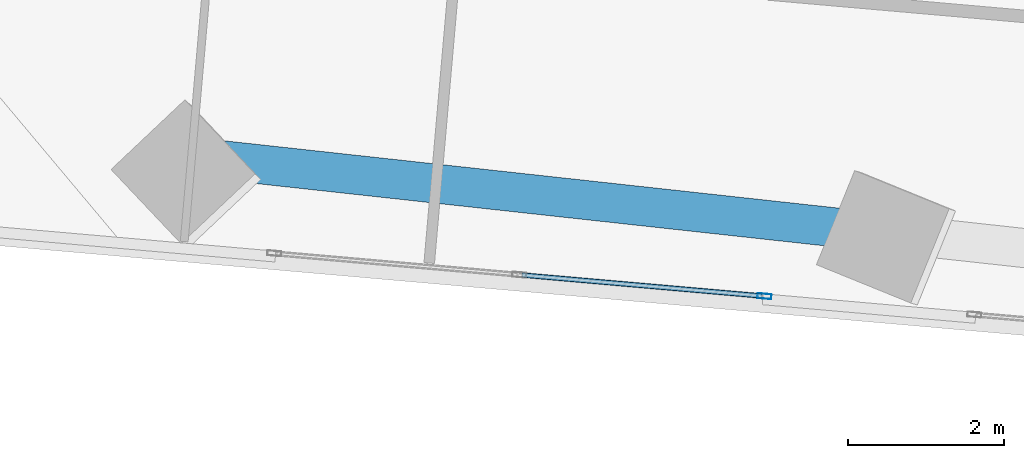
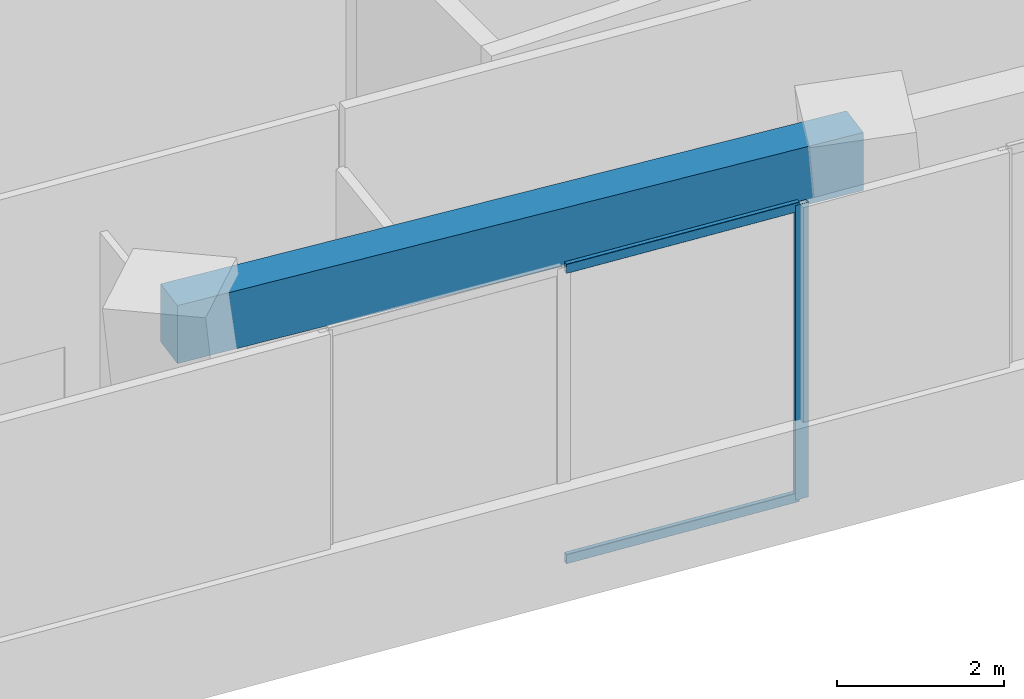
# One storey, part 3 of 24: 3 members, 1 beam, 1 element without a shape of its own.
"""IFC4 building model written with IfcOpenShell, lengths in metres."""

from ifc_helpers import new_model, si_unit, direction, frame, origin, origin_2d, place, context, subcontext, project, spatial, rectangle, hollow_rectangle, extrude, source, transform, mapped, material, material_profile, profile_set, type_object, element, aggregate, save


model = new_model("IFC4")

# Units and contexts
model_context = context("Model", 3, precision=1e-05, world=origin(), true_north=direction((0.0, 1.0)))
body_context = subcontext(model_context, "Body", "Model", "MODEL_VIEW")
ifc_project = project(units=[si_unit("LENGTHUNIT", "METRE"), si_unit("AREAUNIT", "SQUARE_METRE"), si_unit("VOLUMEUNIT", "CUBIC_METRE"), si_unit("PLANEANGLEUNIT", "RADIAN"), si_unit("MASSUNIT", "GRAM", prefix="KILO")], contexts=[model_context])

# Site, building, storey
site_placement = place(None, origin())
site = spatial("IfcSite", under=ifc_project, at=site_placement, CompositionType="ELEMENT")
building_placement = place(site_placement, origin())
building = spatial("IfcBuilding", under=site, at=building_placement, Name="Torre Montelarca", CompositionType="ELEMENT")
storey_placement = place(building_placement, frame((0.0, 0.0, 52.0)))
storey = spatial("IfcBuildingStorey", under=building, at=storey_placement, Name="L11", CompositionType="ELEMENT", Elevation=52.0)

# Beam
ifc_material_1 = material(Name="Concrete C55/67", Category="concrete")
ifc_material_profile_1 = material_profile(ifc_material_1, rectangle(XDim=0.5, YDim=0.85009765625, at=origin_2d()), Name="RCB500X850", Category="concrete")
ifc_profile_set_1 = profile_set([ifc_material_profile_1], Name="Concrete C55/67")
beam_type = type_object("IfcBeamType", Name="BM-SP-RC850-EXT", PredefinedType="SPANDREL", material=ifc_profile_set_1)
shared_shape_1 = source(origin(), body_context, "Body", "SweptSolid", [
    extrude(rectangle(XDim=0.5, YDim=0.85009765625, at=origin_2d()), origin(), (0.0, 0.0, 1.0), 8.999755859375),
])
beam_placement = place(storey_placement, frame((7.201904296875, 16.26318359375, 4.135009765625), z_axis=(0.99405390336, -0.108889105122, 0.0), x_axis=(0.108889105122, 0.99405390336, 0.0)))
element("IfcBeam", 1, at=beam_placement, inside=storey, type_object=beam_type, Name="L11 Grid Girder X 9.0-18.0 at Y=14.8", PredefinedType="SPANDREL", context=body_context, shape_type="MappedRepresentation", body=[
    mapped(shared_shape_1, transform((0.0, 0.0, 0.0), scale=1.0)),
])

# Curtain wall, members
ifc_material_2 = material(Name="Insulated low-E laminated glass", Category="glass")
curtain_wall_type = type_object("IfcCurtainWallType", Name="CW-SYS-Z1", PredefinedType="USERDEFINED", material=ifc_material_2)
curtain_wall_placement = place(storey_placement, origin())
curtain_wall = element("IfcCurtainWall", 2, at=curtain_wall_placement, inside=storey, type_object=curtain_wall_type, Name="L11 Curtain Wall Run CW-T3-L11-E01-B1", ObjectType="UNITISED GLAZING", PredefinedType="USERDEFINED")
ifc_material_3 = material(Name="Anodised aluminium AA 6063-T6", Category="aluminium")
ifc_material_profile_2 = material_profile(ifc_material_3, hollow_rectangle(XDim=0.06494140625, YDim=0.179931640625, WallThickness=0.00390625, InnerFilletRadius=0.00390625, OuterFilletRadius=0.008056640625, at=origin_2d()), Name="ALU65X180X4", Category="aluminium")
ifc_profile_set_2 = profile_set([ifc_material_profile_2], Name="Anodised aluminium AA 6063-T6")
member_type_1 = type_object("IfcMemberType", Name="CWM-ALU180", PredefinedType="MULLION", material=ifc_profile_set_2)
shared_shape_2 = source(origin(), body_context, "Body", "SweptSolid", [
    extrude(hollow_rectangle(XDim=0.06494140625, YDim=0.179931640625, WallThickness=0.00390625, InnerFilletRadius=0.00390625, OuterFilletRadius=0.008056640625, at=origin_2d()), origin(), (0.0, 0.0, 1.0), 4.320068359375),
])
member_1_placement = place(storey_placement, frame((14.907470703125, 14.437744140625, 0.0), z_axis=(0.0, 0.0, 1.0), x_axis=(0.087155647502, 0.996194706425, 0.0)))
member_1 = element("IfcMember", 3, at=member_1_placement, type_object=member_type_1, Name="CW mullion 3", PredefinedType="MULLION", context=body_context, shape_type="MappedRepresentation", body=[
    mapped(shared_shape_2, transform((0.0, 0.0, 0.0), scale=1.0)),
])
ifc_material_profile_3 = material_profile(ifc_material_3, hollow_rectangle(XDim=0.06494140625, YDim=0.139892578125, WallThickness=0.00390625, InnerFilletRadius=0.00390625, OuterFilletRadius=0.008056640625, at=origin_2d()), Name="ALU65X140X4", Category="aluminium")
ifc_profile_set_3 = profile_set([ifc_material_profile_3], Name="Anodised aluminium AA 6063-T6")
member_type_2 = type_object("IfcMemberType", Name="CWT-ALU140", PredefinedType="USERDEFINED", material=ifc_profile_set_3)
shared_shape_3 = source(origin(), body_context, "Body", "SweptSolid", [
    extrude(hollow_rectangle(XDim=0.06494140625, YDim=0.139892578125, WallThickness=0.00390625, InnerFilletRadius=0.00390625, OuterFilletRadius=0.008056640625, at=origin_2d()), origin(), (0.0, 0.0, 1.0), 3.085205078125),
])
member_2_placement = place(storey_placement, frame((11.801513671875, 14.70947265625, 0.032470703125), z_axis=(0.996197410018, -0.087124739728, 0.0), x_axis=(0.087124739728, 0.996197410018, 0.0)))
member_2 = element("IfcMember", 4, at=member_2_placement, type_object=member_type_2, Name="CW transom 2.1", ObjectType="TRANSOM", PredefinedType="USERDEFINED", context=body_context, shape_type="MappedRepresentation", body=[
    mapped(shared_shape_3, transform((0.0, 0.0, 0.0), scale=1.0)),
])
member_3_placement = place(storey_placement, frame((11.801513671875, 14.70947265625, 4.28759765625), z_axis=(0.996197410018, -0.087124739728, 0.0), x_axis=(0.087124739728, 0.996197410018, 0.0)))
member_3 = element("IfcMember", 5, at=member_3_placement, type_object=member_type_2, Name="CW transom 2.2", ObjectType="TRANSOM", PredefinedType="USERDEFINED", context=body_context, shape_type="MappedRepresentation", body=[
    mapped(shared_shape_3, transform((0.0, 0.0, 0.0), scale=1.0)),
])
aggregate(curtain_wall, [member_1, member_2, member_3])

save(model, "model.ifc")
